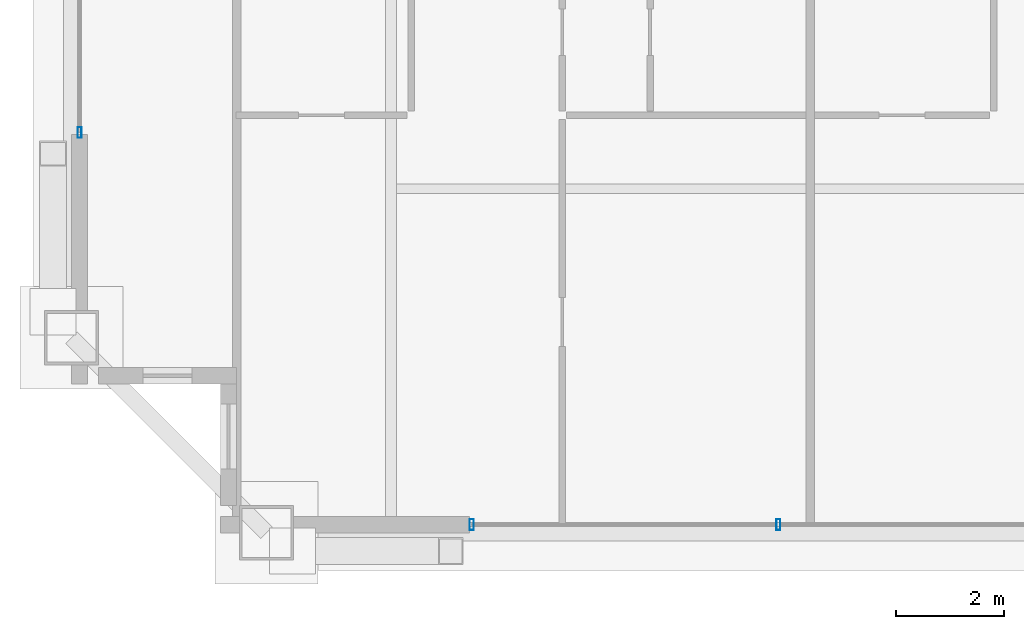
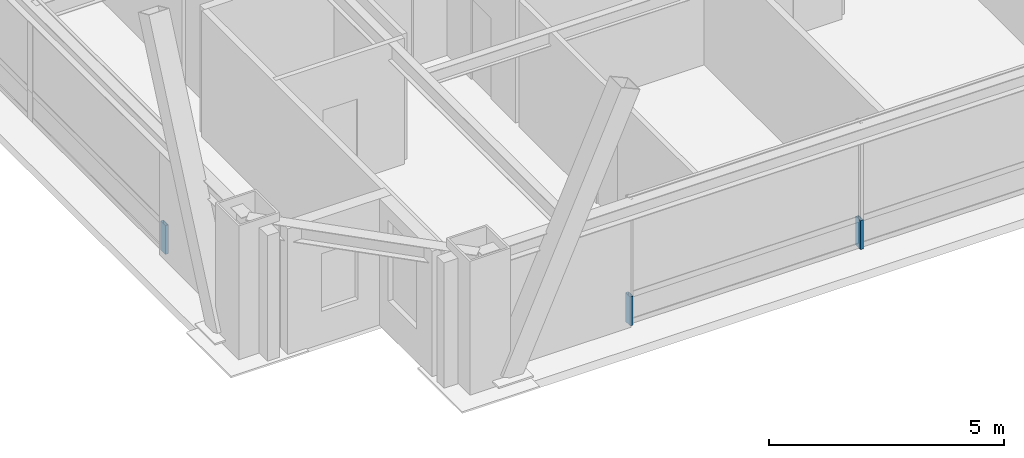
# One storey, part 21 of 35: 3 members, 2 elements without a shape of their own.
"""IFC4 building model written with IfcOpenShell, lengths in metres."""

from ifc_helpers import new_model, si_unit, direction, frame, origin, origin_2d, place, context, subcontext, project, spatial, hollow_rectangle, extrude, source, transform, mapped, material, layer, layer_set, material_profile, profile_set, type_object, element, aggregate, save


model = new_model("IFC4")

# Units and contexts
model_context = context("Model", 3, precision=1e-05, world=origin(), true_north=direction((0.0, 1.0)))
body_context = subcontext(model_context, "Body", "Model", "MODEL_VIEW")
ifc_project = project(units=[si_unit("LENGTHUNIT", "METRE"), si_unit("AREAUNIT", "SQUARE_METRE"), si_unit("VOLUMEUNIT", "CUBIC_METRE"), si_unit("PLANEANGLEUNIT", "RADIAN"), si_unit("MASSUNIT", "GRAM", prefix="KILO"), si_unit("THERMODYNAMICTEMPERATUREUNIT", "KELVIN"), si_unit("POWERUNIT", "WATT")], contexts=[model_context])

# Site, building, storey
site_placement = place(None, origin())
site = spatial("IfcSite", under=ifc_project, at=site_placement, CompositionType="ELEMENT")
building_placement = place(site_placement, origin())
building = spatial("IfcBuilding", under=site, at=building_placement, Name="Yuzanri Waterfront Tower", CompositionType="ELEMENT")
storey_placement = place(building_placement, frame((0.0, 0.0, 285.60009765625)))
storey = spatial("IfcBuildingStorey", under=building, at=storey_placement, Name="L76", CompositionType="ELEMENT", Elevation=285.60009765625)

# Curtain wall, members
ifc_material_1 = material(Name="Anodized Architectural Bronze", Category="metal")
ifc_layer = layer(ifc_material_1, 0.159912109375)
ifc_layer_set = layer_set([ifc_layer], Name="Anodized Architectural Bronze")
curtain_wall_type = type_object("IfcCurtainWallType", Name="Anodized Bronze High-Rise Penthouse High-Wind Unitized Curtain Wall 6900", PredefinedType="NOTDEFINED", material=ifc_layer_set)
curtain_wall_1_placement = place(storey_placement, origin())
curtain_wall_1 = element("IfcCurtainWall", 1, at=curtain_wall_1_placement, inside=storey, type_object=curtain_wall_type, Name="L76 Curtain Wall CW-L76-SL", PredefinedType="NOTDEFINED")
ifc_material_2 = material(Name="Anodized Architectural Bronze", Category="metal")
ifc_material_profile = material_profile(ifc_material_2, hollow_rectangle(XDim=0.074951171875, YDim=0.199951171875, WallThickness=0.00390625, at=origin_2d()), Name="CWM 75x200")
ifc_profile_set = profile_set([ifc_material_profile], Name="Anodized Architectural Bronze")
member_type = type_object("IfcMemberType", Name="Anodized Bronze Primary Curtain-Wall Mullion 75x200", PredefinedType="MULLION", material=ifc_profile_set)
shared_shape = source(origin(), body_context, "Body", "SweptSolid", [
    extrude(hollow_rectangle(XDim=0.074951171875, YDim=0.199951171875, WallThickness=0.00390625, at=origin_2d()), origin(), (0.0, 0.0, 1.0), 0.751953125),
])
member_1_placement = place(storey_placement, frame((25.2900390625, 6.85009765625, 0.0), z_axis=(0.0, 0.0, 1.0), x_axis=(1.0, 0.0, 0.0)))
member_1 = element("IfcMember", 2, at=member_1_placement, type_object=member_type, Name="CW-L76-SL Lower Mullion 00", PredefinedType="MULLION", context=body_context, shape_type="MappedRepresentation", body=[
    mapped(shared_shape, transform((0.0, 0.0, 0.0), scale=1.0)),
])
member_2_placement = place(storey_placement, frame((30.949951171875, 6.85009765625, 0.0), z_axis=(0.0, 0.0, 1.0), x_axis=(1.0, 0.0, 0.0)))
member_2 = element("IfcMember", 3, at=member_2_placement, type_object=member_type, Name="CW-L76-SL Lower Mullion 01", PredefinedType="MULLION", context=body_context, shape_type="MappedRepresentation", body=[
    mapped(shared_shape, transform((0.0, 0.0, 0.0), scale=1.0)),
])
aggregate(curtain_wall_1, [member_1, member_2])

# Curtain wall, member
curtain_wall_2_placement = place(storey_placement, origin())
curtain_wall_2 = element("IfcCurtainWall", 4, at=curtain_wall_2_placement, inside=storey, type_object=curtain_wall_type, Name="L76 Curtain Wall CW-L76-WL", PredefinedType="NOTDEFINED")
member_3_placement = place(storey_placement, frame((18.050048828125, 14.090087890625, 0.0), z_axis=(0.0, 0.0, 1.0), x_axis=(1.0, 0.0, 0.0)))
member_3 = element("IfcMember", 5, at=member_3_placement, type_object=member_type, Name="CW-L76-WL Lower Mullion 00", PredefinedType="MULLION", context=body_context, shape_type="MappedRepresentation", body=[
    mapped(shared_shape, transform((0.0, 0.0, 0.0), scale=1.0)),
])
aggregate(curtain_wall_2, [member_3])

save(model, "model.ifc")
